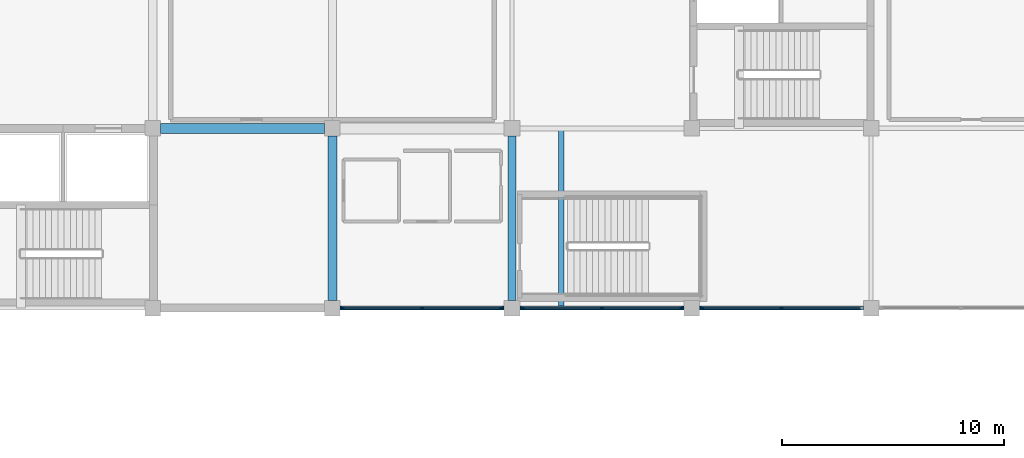
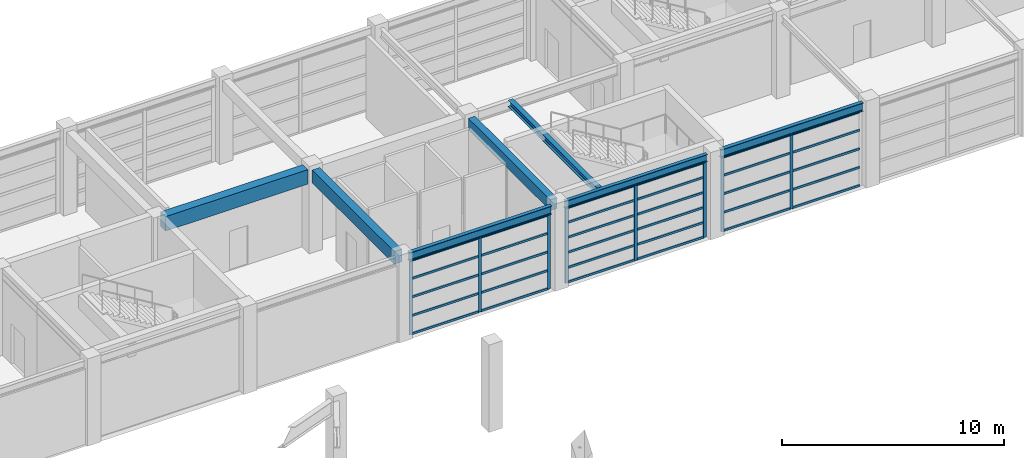
# One storey, part 30 of 58: 40 members, 7 beams, 3 elements without a shape of their own.
"""IFC4 building model written with IfcOpenShell, lengths in metres."""

from ifc_helpers import new_model, si_unit, direction, frame, origin, origin_2d, place, context, subcontext, project, spatial, rectangle, i_section, extrude, material, material_profile, profile_set, type_object, element, aggregate, save


model = new_model("IFC4")

# Units and contexts
model_context = context("Model", 3, precision=1e-05, world=origin(), true_north=direction((0.0, 1.0)))
body_context = subcontext(model_context, "Body", "Model", "MODEL_VIEW")
ifc_project = project(units=[si_unit("LENGTHUNIT", "METRE"), si_unit("AREAUNIT", "SQUARE_METRE"), si_unit("VOLUMEUNIT", "CUBIC_METRE"), si_unit("PLANEANGLEUNIT", "RADIAN"), si_unit("MASSUNIT", "GRAM", prefix="KILO")], contexts=[model_context])

# Site, building, storey
site_placement = place(None, origin())
site = spatial("IfcSite", under=ifc_project, at=site_placement, CompositionType="ELEMENT")
building_placement = place(site_placement, origin())
building = spatial("IfcBuilding", under=site, at=building_placement, Name="Parian Resonance Hall", CompositionType="ELEMENT")
storey_placement = place(building_placement, frame((0.0, 0.0, 10.199951171875)))
storey = spatial("IfcBuildingStorey", under=building, at=storey_placement, Name="L02", CompositionType="ELEMENT", Elevation=10.199951171875)

# Beams
ifc_material_1 = material(Name="Concrete C40/50", Category="concrete")
ifc_material_profile_1 = material_profile(ifc_material_1, rectangle(XDim=0.35009765625, YDim=0.60009765625, at=origin_2d()), Name="RC-BM-350x600")
ifc_profile_set_1 = profile_set([ifc_material_profile_1], Name="Concrete C40/50")
beam_type_1 = type_object("IfcBeamType", Name="BM-RC350x600", PredefinedType="BEAM", material=ifc_profile_set_1)
beam_1_placement = place(storey_placement, frame((81.0, 73.25, 4.260009765625), z_axis=(0.0, 1.0, 0.0), x_axis=(-1.0, 0.0, 0.0)))
element("IfcBeam", 1, at=beam_1_placement, inside=storey, type_object=beam_type_1, Name="GY-L02-0767", PredefinedType="BEAM", context=body_context, shape_type="SweptSolid", body=[
    extrude(rectangle(XDim=0.35009765625, YDim=0.60009765625, at=origin_2d()), origin(), (0.0, 0.0, 1.0), 7.39990234375),
])
ifc_material_2 = material(Name="Concrete C40/50", Category="concrete")
ifc_material_profile_2 = material_profile(ifc_material_2, rectangle(XDim=0.39990234375, YDim=0.699951171875, at=origin_2d()), Name="RC-BM-400x700")
ifc_profile_set_2 = profile_set([ifc_material_profile_2], Name="Concrete C40/50")
beam_type_2 = type_object("IfcBeamType", Name="BM-RC400x700", PredefinedType="BEAM", material=ifc_profile_set_2)
beam_2_placement = place(storey_placement, frame((72.89990234375, 73.25, 4.2099609375), z_axis=(0.0, 1.0, 0.0), x_axis=(-1.0, 0.0, 0.0)))
element("IfcBeam", 2, at=beam_2_placement, inside=storey, type_object=beam_type_2, Name="GY-L02-0765", PredefinedType="BEAM", context=body_context, shape_type="SweptSolid", body=[
    extrude(rectangle(XDim=0.39990234375, YDim=0.699951171875, at=origin_2d()), origin(), (0.0, 0.0, 1.0), 7.39990234375),
])
ifc_material_3 = material(Name="Concrete C40/50", Category="concrete")
ifc_material_profile_3 = material_profile(ifc_material_3, rectangle(XDim=0.449951171875, YDim=0.800048828125, at=origin_2d()), Name="RC-BM-450x800")
ifc_profile_set_3 = profile_set([ifc_material_profile_3], Name="Concrete C40/50")
beam_type_3 = type_object("IfcBeamType", Name="BM-RC450x800", PredefinedType="USERDEFINED", material=ifc_profile_set_3)
beam_3_placement = place(storey_placement, frame((65.14990234375, 81.0, 4.16015625), z_axis=(1.0, 0.0, 0.0), x_axis=(0.0, 1.0, 0.0)))
element("IfcBeam", 3, at=beam_3_placement, inside=storey, type_object=beam_type_3, Name="GX-L02-0683", ObjectType="GIRDER", PredefinedType="USERDEFINED", context=body_context, shape_type="SweptSolid", body=[
    extrude(rectangle(XDim=0.449951171875, YDim=0.800048828125, at=origin_2d()), origin(), (0.0, 0.0, 1.0), 7.400146484375),
])
ifc_material_4 = material(Name="Steel S355", Category="steel")
ifc_material_profile_4 = material_profile(ifc_material_4, i_section(OverallWidth=0.2548828125, OverallDepth=0.35693359375, WebThickness=0.010498046875, FlangeThickness=0.018310546875, FilletRadius=0.01513671875, at=origin_2d()), Name="W360x101")
ifc_profile_set_4 = profile_set([ifc_material_profile_4], Name="Steel S355")
beam_type_4 = type_object("IfcBeamType", Name="BM-W360x101", PredefinedType="SPANDREL", material=ifc_profile_set_4)
beam_4_placement = place(storey_placement, frame((83.219970703125, 72.89990234375, 4.381591796875), z_axis=(0.0, 1.0, 0.0), x_axis=(-1.0, 0.0, 0.0)))
element("IfcBeam", 4, at=beam_4_placement, inside=storey, type_object=beam_type_4, Name="Feature stair ST-08 arrival header beam L02", PredefinedType="SPANDREL", context=body_context, shape_type="SweptSolid", body=[
    extrude(i_section(OverallWidth=0.2548828125, OverallDepth=0.35693359375, WebThickness=0.010498046875, FlangeThickness=0.018310546875, FilletRadius=0.01513671875, at=origin_2d()), origin(), (0.0, 0.0, 1.0), 8.10009765625),
])
ifc_material_5 = material(Name="Steel S355", Category="steel")
ifc_material_profile_5 = material_profile(ifc_material_5, i_section(OverallWidth=0.180908203125, OverallDepth=0.4169921875, WebThickness=0.010986328125, FlangeThickness=0.018310546875, FilletRadius=0.01513671875, at=origin_2d()), Name="W410x85")
ifc_profile_set_5 = profile_set([ifc_material_profile_5], Name="Steel S355")
beam_type_5 = type_object("IfcBeamType", Name="BM-W410x85", PredefinedType="SPANDREL", material=ifc_profile_set_5)
beam_5_placement = place(storey_placement, frame((81.35009765625, 72.89990234375, 4.3515625), z_axis=(1.0, 0.0, 0.0), x_axis=(0.0, 1.0, 0.0)))
element("IfcBeam", 5, at=beam_5_placement, inside=storey, type_object=beam_type_5, Name="GX-L02-0692", PredefinedType="SPANDREL", context=body_context, shape_type="SweptSolid", body=[
    extrude(i_section(OverallWidth=0.180908203125, OverallDepth=0.4169921875, WebThickness=0.010986328125, FlangeThickness=0.018310546875, FilletRadius=0.01513671875, at=origin_2d()), origin(), (0.0, 0.0, 1.0), 7.39990234375),
])
ifc_material_6 = material(Name="Steel S355", Category="steel")
ifc_material_profile_6 = material_profile(ifc_material_6, i_section(OverallWidth=0.194091796875, OverallDepth=0.468994140625, WebThickness=0.0126953125, FlangeThickness=0.0205078125, FilletRadius=0.01513671875, at=origin_2d()), Name="W460x106")
ifc_profile_set_6 = profile_set([ifc_material_profile_6], Name="Steel S355")
beam_type_6 = type_object("IfcBeamType", Name="BM-W460x106", PredefinedType="SPANDREL", material=ifc_profile_set_6)
beam_6_placement = place(storey_placement, frame((73.25, 72.89990234375, 4.325439453125), z_axis=(1.0, 0.0, 0.0), x_axis=(0.0, 1.0, 0.0)))
element("IfcBeam", 6, at=beam_6_placement, inside=storey, type_object=beam_type_6, Name="GX-L02-0687", PredefinedType="SPANDREL", context=body_context, shape_type="SweptSolid", body=[
    extrude(i_section(OverallWidth=0.194091796875, OverallDepth=0.468994140625, WebThickness=0.0126953125, FlangeThickness=0.0205078125, FilletRadius=0.01513671875, at=origin_2d()), origin(), (0.0, 0.0, 1.0), 7.39990234375),
])
beam_7_placement = place(storey_placement, frame((89.449951171875, 72.89990234375, 4.325439453125), z_axis=(1.0, 0.0, 0.0), x_axis=(0.0, 1.0, 0.0)))
element("IfcBeam", 7, at=beam_7_placement, inside=storey, type_object=beam_type_6, Name="GX-L02-0697", PredefinedType="SPANDREL", context=body_context, shape_type="SweptSolid", body=[
    extrude(i_section(OverallWidth=0.194091796875, OverallDepth=0.468994140625, WebThickness=0.0126953125, FlangeThickness=0.0205078125, FilletRadius=0.01513671875, at=origin_2d()), origin(), (0.0, 0.0, 1.0), 7.400146484375),
])

# Curtain wall, members
ifc_material_7 = material(Name="Bronze-anodised aluminium frame", Category="aluminium")
curtain_wall_type_1 = type_object("IfcCurtainWallType", Name="CW-SYS-06", PredefinedType="NOTDEFINED", material=ifc_material_7)
curtain_wall_1_placement = place(storey_placement, origin())
curtain_wall_1 = element("IfcCurtainWall", 8, at=curtain_wall_1_placement, inside=storey, type_object=curtain_wall_type_1, Name="Curtain wall CW-L02-107", PredefinedType="NOTDEFINED")
ifc_material_8 = material(Name="Bronze-anodised aluminium frame", Category="aluminium")
ifc_material_profile_7 = material_profile(ifc_material_8, rectangle(XDim=0.06494140625, YDim=0.159912109375, at=origin_2d()), Name="CWM-65x160")
ifc_profile_set_7 = profile_set([ifc_material_profile_7], Name="Bronze-anodised aluminium frame")
member_type_1 = type_object("IfcMemberType", Name="CWM-65x160", PredefinedType="MULLION", material=ifc_profile_set_7)
member_1_placement = place(storey_placement, frame((80.53759765625, 72.89990234375, -0.008056640625), z_axis=(0.0, 0.0, 1.0), x_axis=(0.0, -1.0, 0.0)))
member_1 = element("IfcMember", 9, at=member_1_placement, type_object=member_type_1, Name="CW-06 mullion 1", PredefinedType="MULLION", context=body_context, shape_type="SweptSolid", body=[
    extrude(rectangle(XDim=0.06494140625, YDim=0.159912109375, at=origin_2d()), origin(), (0.0, 0.0, 1.0), 4.10302734375),
])
member_2_placement = place(storey_placement, frame((76.949951171875, 72.89990234375, -0.008056640625), z_axis=(0.0, 0.0, 1.0), x_axis=(0.0, -1.0, 0.0)))
member_2 = element("IfcMember", 10, at=member_2_placement, type_object=member_type_1, Name="CW-06 mullion 2", PredefinedType="MULLION", context=body_context, shape_type="SweptSolid", body=[
    extrude(rectangle(XDim=0.06494140625, YDim=0.159912109375, at=origin_2d()), origin(), (0.0, 0.0, 1.0), 4.10302734375),
])
member_3_placement = place(storey_placement, frame((73.362548828125, 72.89990234375, -0.008056640625), z_axis=(0.0, 0.0, 1.0), x_axis=(0.0, -1.0, 0.0)))
member_3 = element("IfcMember", 11, at=member_3_placement, type_object=member_type_1, Name="CW-06 mullion 3", PredefinedType="MULLION", context=body_context, shape_type="SweptSolid", body=[
    extrude(rectangle(XDim=0.06494140625, YDim=0.159912109375, at=origin_2d()), origin(), (0.0, 0.0, 1.0), 4.10302734375),
])

ifc_material_9 = material(Name="Bronze-anodised aluminium frame", Category="aluminium")
curtain_wall_type_2 = type_object("IfcCurtainWallType", Name="CW-SYS-01", PredefinedType="NOTDEFINED", material=ifc_material_9)
curtain_wall_2_placement = place(storey_placement, origin())
curtain_wall_2 = element("IfcCurtainWall", 12, at=curtain_wall_2_placement, inside=storey, type_object=curtain_wall_type_2, Name="Curtain wall CW-L02-113", PredefinedType="NOTDEFINED")
member_4_placement = place(storey_placement, frame((88.637451171875, 72.89990234375, -0.008056640625), z_axis=(0.0, 0.0, 1.0), x_axis=(0.0, -1.0, 0.0)))
member_4 = element("IfcMember", 13, at=member_4_placement, type_object=member_type_1, Name="CW-01 mullion 1", PredefinedType="MULLION", context=body_context, shape_type="SweptSolid", body=[
    extrude(rectangle(XDim=0.06494140625, YDim=0.159912109375, at=origin_2d()), origin(), (0.0, 0.0, 1.0), 4.155029296875),
])
member_5_placement = place(storey_placement, frame((85.050048828125, 72.89990234375, -0.008056640625), z_axis=(0.0, 0.0, 1.0), x_axis=(0.0, -1.0, 0.0)))
member_5 = element("IfcMember", 14, at=member_5_placement, type_object=member_type_1, Name="CW-01 mullion 2", PredefinedType="MULLION", context=body_context, shape_type="SweptSolid", body=[
    extrude(rectangle(XDim=0.06494140625, YDim=0.159912109375, at=origin_2d()), origin(), (0.0, 0.0, 1.0), 4.155029296875),
])
member_6_placement = place(storey_placement, frame((81.46240234375, 72.89990234375, -0.008056640625), z_axis=(0.0, 0.0, 1.0), x_axis=(0.0, -1.0, 0.0)))
member_6 = element("IfcMember", 15, at=member_6_placement, type_object=member_type_1, Name="CW-01 mullion 3", PredefinedType="MULLION", context=body_context, shape_type="SweptSolid", body=[
    extrude(rectangle(XDim=0.06494140625, YDim=0.159912109375, at=origin_2d()), origin(), (0.0, 0.0, 1.0), 4.155029296875),
])

ifc_material_10 = material(Name="Bronze-anodised aluminium frame", Category="aluminium")
curtain_wall_type_3 = type_object("IfcCurtainWallType", Name="CW-SYS-02", PredefinedType="NOTDEFINED", material=ifc_material_10)
curtain_wall_3_placement = place(storey_placement, origin())
curtain_wall_3 = element("IfcCurtainWall", 16, at=curtain_wall_3_placement, inside=storey, type_object=curtain_wall_type_3, Name="Curtain wall CW-L02-119", PredefinedType="NOTDEFINED")
member_7_placement = place(storey_placement, frame((93.14990234375, 72.89990234375, -0.008056640625), z_axis=(0.0, 0.0, 1.0), x_axis=(0.0, -1.0, 0.0)))
member_7 = element("IfcMember", 17, at=member_7_placement, type_object=member_type_1, Name="CW-02 mullion 2", PredefinedType="MULLION", context=body_context, shape_type="SweptSolid", body=[
    extrude(rectangle(XDim=0.06494140625, YDim=0.159912109375, at=origin_2d()), origin(), (0.0, 0.0, 1.0), 4.10302734375),
])
member_8_placement = place(storey_placement, frame((89.5625, 72.89990234375, -0.008056640625), z_axis=(0.0, 0.0, 1.0), x_axis=(0.0, -1.0, 0.0)))
member_8 = element("IfcMember", 18, at=member_8_placement, type_object=member_type_1, Name="CW-02 mullion 3", PredefinedType="MULLION", context=body_context, shape_type="SweptSolid", body=[
    extrude(rectangle(XDim=0.06494140625, YDim=0.159912109375, at=origin_2d()), origin(), (0.0, 0.0, 1.0), 4.10302734375),
])

# Member
ifc_material_11 = material(Name="Bronze-anodised aluminium frame", Category="aluminium")
ifc_material_profile_8 = material_profile(ifc_material_11, rectangle(XDim=0.06494140625, YDim=0.1201171875, at=origin_2d()), Name="CWT-65x120")
ifc_profile_set_8 = profile_set([ifc_material_profile_8], Name="Bronze-anodised aluminium frame")
member_type_2 = type_object("IfcMemberType", Name="CWT-65x120", PredefinedType="USERDEFINED", material=ifc_profile_set_8)
member_9_placement = place(storey_placement, frame((80.5048828125, 72.89990234375, 0.024658203125), z_axis=(-1.0, 0.0, 0.0), x_axis=(0.0, -1.0, 0.0)))
member_9 = element("IfcMember", 19, at=member_9_placement, type_object=member_type_2, Name="CW-06 transom 1.1", ObjectType="TRANSOM", PredefinedType="USERDEFINED", context=body_context, shape_type="SweptSolid", body=[
    extrude(rectangle(XDim=0.06494140625, YDim=0.1201171875, at=origin_2d()), origin(), (0.0, 0.0, 1.0), 3.5224609375),
])

member_10_placement = place(storey_placement, frame((80.5048828125, 72.89990234375, 1.021240234375), z_axis=(-1.0, 0.0, 0.0), x_axis=(0.0, -1.0, 0.0)))
member_10 = element("IfcMember", 20, at=member_10_placement, type_object=member_type_2, Name="CW-06 transom 1.2", ObjectType="TRANSOM", PredefinedType="USERDEFINED", context=body_context, shape_type="SweptSolid", body=[
    extrude(rectangle(XDim=0.06494140625, YDim=0.1201171875, at=origin_2d()), origin(), (0.0, 0.0, 1.0), 3.5224609375),
])

member_11_placement = place(storey_placement, frame((80.5048828125, 72.89990234375, 2.04248046875), z_axis=(-1.0, 0.0, 0.0), x_axis=(0.0, -1.0, 0.0)))
member_11 = element("IfcMember", 21, at=member_11_placement, type_object=member_type_2, Name="CW-06 transom 1.3", ObjectType="TRANSOM", PredefinedType="USERDEFINED", context=body_context, shape_type="SweptSolid", body=[
    extrude(rectangle(XDim=0.06494140625, YDim=0.1201171875, at=origin_2d()), origin(), (0.0, 0.0, 1.0), 3.5224609375),
])

member_12_placement = place(storey_placement, frame((80.5048828125, 72.89990234375, 3.063720703125), z_axis=(-1.0, 0.0, 0.0), x_axis=(0.0, -1.0, 0.0)))
member_12 = element("IfcMember", 22, at=member_12_placement, type_object=member_type_2, Name="CW-06 transom 1.4", ObjectType="TRANSOM", PredefinedType="USERDEFINED", context=body_context, shape_type="SweptSolid", body=[
    extrude(rectangle(XDim=0.06494140625, YDim=0.1201171875, at=origin_2d()), origin(), (0.0, 0.0, 1.0), 3.5224609375),
])

member_13_placement = place(storey_placement, frame((80.5048828125, 72.89990234375, 4.0625), z_axis=(-1.0, 0.0, 0.0), x_axis=(0.0, -1.0, 0.0)))
member_13 = element("IfcMember", 23, at=member_13_placement, type_object=member_type_2, Name="CW-06 transom 1.5", ObjectType="TRANSOM", PredefinedType="USERDEFINED", context=body_context, shape_type="SweptSolid", body=[
    extrude(rectangle(XDim=0.06494140625, YDim=0.1201171875, at=origin_2d()), origin(), (0.0, 0.0, 1.0), 3.5224609375),
])

member_14_placement = place(storey_placement, frame((76.91748046875, 72.89990234375, 0.024658203125), z_axis=(-1.0, 0.0, 0.0), x_axis=(0.0, -1.0, 0.0)))
member_14 = element("IfcMember", 24, at=member_14_placement, type_object=member_type_2, Name="CW-06 transom 2.1", ObjectType="TRANSOM", PredefinedType="USERDEFINED", context=body_context, shape_type="SweptSolid", body=[
    extrude(rectangle(XDim=0.06494140625, YDim=0.1201171875, at=origin_2d()), origin(), (0.0, 0.0, 1.0), 3.5224609375),
])

member_15_placement = place(storey_placement, frame((76.91748046875, 72.89990234375, 1.021240234375), z_axis=(-1.0, 0.0, 0.0), x_axis=(0.0, -1.0, 0.0)))
member_15 = element("IfcMember", 25, at=member_15_placement, type_object=member_type_2, Name="CW-06 transom 2.2", ObjectType="TRANSOM", PredefinedType="USERDEFINED", context=body_context, shape_type="SweptSolid", body=[
    extrude(rectangle(XDim=0.06494140625, YDim=0.1201171875, at=origin_2d()), origin(), (0.0, 0.0, 1.0), 3.5224609375),
])

member_16_placement = place(storey_placement, frame((76.91748046875, 72.89990234375, 2.04248046875), z_axis=(-1.0, 0.0, 0.0), x_axis=(0.0, -1.0, 0.0)))
member_16 = element("IfcMember", 26, at=member_16_placement, type_object=member_type_2, Name="CW-06 transom 2.3", ObjectType="TRANSOM", PredefinedType="USERDEFINED", context=body_context, shape_type="SweptSolid", body=[
    extrude(rectangle(XDim=0.06494140625, YDim=0.1201171875, at=origin_2d()), origin(), (0.0, 0.0, 1.0), 3.5224609375),
])

member_17_placement = place(storey_placement, frame((76.91748046875, 72.89990234375, 3.063720703125), z_axis=(-1.0, 0.0, 0.0), x_axis=(0.0, -1.0, 0.0)))
member_17 = element("IfcMember", 27, at=member_17_placement, type_object=member_type_2, Name="CW-06 transom 2.4", ObjectType="TRANSOM", PredefinedType="USERDEFINED", context=body_context, shape_type="SweptSolid", body=[
    extrude(rectangle(XDim=0.06494140625, YDim=0.1201171875, at=origin_2d()), origin(), (0.0, 0.0, 1.0), 3.5224609375),
])

member_18_placement = place(storey_placement, frame((76.91748046875, 72.89990234375, 4.0625), z_axis=(-1.0, 0.0, 0.0), x_axis=(0.0, -1.0, 0.0)))
member_18 = element("IfcMember", 28, at=member_18_placement, type_object=member_type_2, Name="CW-06 transom 2.5", ObjectType="TRANSOM", PredefinedType="USERDEFINED", context=body_context, shape_type="SweptSolid", body=[
    extrude(rectangle(XDim=0.06494140625, YDim=0.1201171875, at=origin_2d()), origin(), (0.0, 0.0, 1.0), 3.5224609375),
])

aggregate(curtain_wall_1, [member_1, member_2, member_3, member_9, member_10, member_11, member_12, member_13, member_14, member_15, member_16, member_17, member_18])

member_19_placement = place(storey_placement, frame((88.60498046875, 72.89990234375, 0.024658203125), z_axis=(-1.0, 0.0, 0.0), x_axis=(0.0, -1.0, 0.0)))
member_19 = element("IfcMember", 29, at=member_19_placement, type_object=member_type_2, Name="CW-01 transom 1.1", ObjectType="TRANSOM", PredefinedType="USERDEFINED", context=body_context, shape_type="SweptSolid", body=[
    extrude(rectangle(XDim=0.06494140625, YDim=0.1201171875, at=origin_2d()), origin(), (0.0, 0.0, 1.0), 3.5224609375),
])

member_20_placement = place(storey_placement, frame((88.60498046875, 72.89990234375, 0.827392578125), z_axis=(-1.0, 0.0, 0.0), x_axis=(0.0, -1.0, 0.0)))
member_20 = element("IfcMember", 30, at=member_20_placement, type_object=member_type_2, Name="CW-01 transom 1.2", ObjectType="TRANSOM", PredefinedType="USERDEFINED", context=body_context, shape_type="SweptSolid", body=[
    extrude(rectangle(XDim=0.06494140625, YDim=0.1201171875, at=origin_2d()), origin(), (0.0, 0.0, 1.0), 3.5224609375),
])

member_21_placement = place(storey_placement, frame((88.60498046875, 72.89990234375, 1.65478515625), z_axis=(-1.0, 0.0, 0.0), x_axis=(0.0, -1.0, 0.0)))
member_21 = element("IfcMember", 31, at=member_21_placement, type_object=member_type_2, Name="CW-01 transom 1.3", ObjectType="TRANSOM", PredefinedType="USERDEFINED", context=body_context, shape_type="SweptSolid", body=[
    extrude(rectangle(XDim=0.06494140625, YDim=0.1201171875, at=origin_2d()), origin(), (0.0, 0.0, 1.0), 3.5224609375),
])

member_22_placement = place(storey_placement, frame((88.60498046875, 72.89990234375, 2.482177734375), z_axis=(-1.0, 0.0, 0.0), x_axis=(0.0, -1.0, 0.0)))
member_22 = element("IfcMember", 32, at=member_22_placement, type_object=member_type_2, Name="CW-01 transom 1.4", ObjectType="TRANSOM", PredefinedType="USERDEFINED", context=body_context, shape_type="SweptSolid", body=[
    extrude(rectangle(XDim=0.06494140625, YDim=0.1201171875, at=origin_2d()), origin(), (0.0, 0.0, 1.0), 3.5224609375),
])

member_23_placement = place(storey_placement, frame((88.60498046875, 72.89990234375, 3.3095703125), z_axis=(-1.0, 0.0, 0.0), x_axis=(0.0, -1.0, 0.0)))
member_23 = element("IfcMember", 33, at=member_23_placement, type_object=member_type_2, Name="CW-01 transom 1.5", ObjectType="TRANSOM", PredefinedType="USERDEFINED", context=body_context, shape_type="SweptSolid", body=[
    extrude(rectangle(XDim=0.06494140625, YDim=0.1201171875, at=origin_2d()), origin(), (0.0, 0.0, 1.0), 3.5224609375),
])

member_24_placement = place(storey_placement, frame((88.60498046875, 72.89990234375, 4.114501953125), z_axis=(-1.0, 0.0, 0.0), x_axis=(0.0, -1.0, 0.0)))
member_24 = element("IfcMember", 34, at=member_24_placement, type_object=member_type_2, Name="CW-01 transom 1.6", ObjectType="TRANSOM", PredefinedType="USERDEFINED", context=body_context, shape_type="SweptSolid", body=[
    extrude(rectangle(XDim=0.06494140625, YDim=0.1201171875, at=origin_2d()), origin(), (0.0, 0.0, 1.0), 3.5224609375),
])

member_25_placement = place(storey_placement, frame((85.017578125, 72.89990234375, 0.024658203125), z_axis=(-1.0, 0.0, 0.0), x_axis=(0.0, -1.0, 0.0)))
member_25 = element("IfcMember", 35, at=member_25_placement, type_object=member_type_2, Name="CW-01 transom 2.1", ObjectType="TRANSOM", PredefinedType="USERDEFINED", context=body_context, shape_type="SweptSolid", body=[
    extrude(rectangle(XDim=0.06494140625, YDim=0.1201171875, at=origin_2d()), origin(), (0.0, 0.0, 1.0), 3.5224609375),
])

member_26_placement = place(storey_placement, frame((85.017578125, 72.89990234375, 0.827392578125), z_axis=(-1.0, 0.0, 0.0), x_axis=(0.0, -1.0, 0.0)))
member_26 = element("IfcMember", 36, at=member_26_placement, type_object=member_type_2, Name="CW-01 transom 2.2", ObjectType="TRANSOM", PredefinedType="USERDEFINED", context=body_context, shape_type="SweptSolid", body=[
    extrude(rectangle(XDim=0.06494140625, YDim=0.1201171875, at=origin_2d()), origin(), (0.0, 0.0, 1.0), 3.5224609375),
])

member_27_placement = place(storey_placement, frame((85.017578125, 72.89990234375, 1.65478515625), z_axis=(-1.0, 0.0, 0.0), x_axis=(0.0, -1.0, 0.0)))
member_27 = element("IfcMember", 37, at=member_27_placement, type_object=member_type_2, Name="CW-01 transom 2.3", ObjectType="TRANSOM", PredefinedType="USERDEFINED", context=body_context, shape_type="SweptSolid", body=[
    extrude(rectangle(XDim=0.06494140625, YDim=0.1201171875, at=origin_2d()), origin(), (0.0, 0.0, 1.0), 3.5224609375),
])

member_28_placement = place(storey_placement, frame((85.017578125, 72.89990234375, 2.482177734375), z_axis=(-1.0, 0.0, 0.0), x_axis=(0.0, -1.0, 0.0)))
member_28 = element("IfcMember", 38, at=member_28_placement, type_object=member_type_2, Name="CW-01 transom 2.4", ObjectType="TRANSOM", PredefinedType="USERDEFINED", context=body_context, shape_type="SweptSolid", body=[
    extrude(rectangle(XDim=0.06494140625, YDim=0.1201171875, at=origin_2d()), origin(), (0.0, 0.0, 1.0), 3.5224609375),
])

member_29_placement = place(storey_placement, frame((85.017578125, 72.89990234375, 3.3095703125), z_axis=(-1.0, 0.0, 0.0), x_axis=(0.0, -1.0, 0.0)))
member_29 = element("IfcMember", 39, at=member_29_placement, type_object=member_type_2, Name="CW-01 transom 2.5", ObjectType="TRANSOM", PredefinedType="USERDEFINED", context=body_context, shape_type="SweptSolid", body=[
    extrude(rectangle(XDim=0.06494140625, YDim=0.1201171875, at=origin_2d()), origin(), (0.0, 0.0, 1.0), 3.5224609375),
])

member_30_placement = place(storey_placement, frame((85.017578125, 72.89990234375, 4.114501953125), z_axis=(-1.0, 0.0, 0.0), x_axis=(0.0, -1.0, 0.0)))
member_30 = element("IfcMember", 40, at=member_30_placement, type_object=member_type_2, Name="CW-01 transom 2.6", ObjectType="TRANSOM", PredefinedType="USERDEFINED", context=body_context, shape_type="SweptSolid", body=[
    extrude(rectangle(XDim=0.06494140625, YDim=0.1201171875, at=origin_2d()), origin(), (0.0, 0.0, 1.0), 3.5224609375),
])

aggregate(curtain_wall_2, [member_4, member_5, member_6, member_19, member_20, member_21, member_22, member_23, member_24, member_25, member_26, member_27, member_28, member_29, member_30])

member_31_placement = place(storey_placement, frame((96.705078125, 72.89990234375, 0.024658203125), z_axis=(-1.0, 0.0, 0.0), x_axis=(0.0, -1.0, 0.0)))
member_31 = element("IfcMember", 41, at=member_31_placement, type_object=member_type_2, Name="CW-02 transom 1.1", ObjectType="TRANSOM", PredefinedType="USERDEFINED", context=body_context, shape_type="SweptSolid", body=[
    extrude(rectangle(XDim=0.06494140625, YDim=0.1201171875, at=origin_2d()), origin(), (0.0, 0.0, 1.0), 3.5224609375),
])

member_32_placement = place(storey_placement, frame((96.705078125, 72.89990234375, 1.021240234375), z_axis=(-1.0, 0.0, 0.0), x_axis=(0.0, -1.0, 0.0)))
member_32 = element("IfcMember", 42, at=member_32_placement, type_object=member_type_2, Name="CW-02 transom 1.2", ObjectType="TRANSOM", PredefinedType="USERDEFINED", context=body_context, shape_type="SweptSolid", body=[
    extrude(rectangle(XDim=0.06494140625, YDim=0.1201171875, at=origin_2d()), origin(), (0.0, 0.0, 1.0), 3.5224609375),
])

member_33_placement = place(storey_placement, frame((96.705078125, 72.89990234375, 2.04248046875), z_axis=(-1.0, 0.0, 0.0), x_axis=(0.0, -1.0, 0.0)))
member_33 = element("IfcMember", 43, at=member_33_placement, type_object=member_type_2, Name="CW-02 transom 1.3", ObjectType="TRANSOM", PredefinedType="USERDEFINED", context=body_context, shape_type="SweptSolid", body=[
    extrude(rectangle(XDim=0.06494140625, YDim=0.1201171875, at=origin_2d()), origin(), (0.0, 0.0, 1.0), 3.5224609375),
])

member_34_placement = place(storey_placement, frame((96.705078125, 72.89990234375, 3.063720703125), z_axis=(-1.0, 0.0, 0.0), x_axis=(0.0, -1.0, 0.0)))
member_34 = element("IfcMember", 44, at=member_34_placement, type_object=member_type_2, Name="CW-02 transom 1.4", ObjectType="TRANSOM", PredefinedType="USERDEFINED", context=body_context, shape_type="SweptSolid", body=[
    extrude(rectangle(XDim=0.06494140625, YDim=0.1201171875, at=origin_2d()), origin(), (0.0, 0.0, 1.0), 3.5224609375),
])

member_35_placement = place(storey_placement, frame((96.705078125, 72.89990234375, 4.0625), z_axis=(-1.0, 0.0, 0.0), x_axis=(0.0, -1.0, 0.0)))
member_35 = element("IfcMember", 45, at=member_35_placement, type_object=member_type_2, Name="CW-02 transom 1.5", ObjectType="TRANSOM", PredefinedType="USERDEFINED", context=body_context, shape_type="SweptSolid", body=[
    extrude(rectangle(XDim=0.06494140625, YDim=0.1201171875, at=origin_2d()), origin(), (0.0, 0.0, 1.0), 3.5224609375),
])

member_36_placement = place(storey_placement, frame((93.117431640625, 72.89990234375, 0.024658203125), z_axis=(-1.0, 0.0, 0.0), x_axis=(0.0, -1.0, 0.0)))
member_36 = element("IfcMember", 46, at=member_36_placement, type_object=member_type_2, Name="CW-02 transom 2.1", ObjectType="TRANSOM", PredefinedType="USERDEFINED", context=body_context, shape_type="SweptSolid", body=[
    extrude(rectangle(XDim=0.06494140625, YDim=0.1201171875, at=origin_2d()), origin(), (0.0, 0.0, 1.0), 3.5224609375),
])

member_37_placement = place(storey_placement, frame((93.117431640625, 72.89990234375, 1.021240234375), z_axis=(-1.0, 0.0, 0.0), x_axis=(0.0, -1.0, 0.0)))
member_37 = element("IfcMember", 47, at=member_37_placement, type_object=member_type_2, Name="CW-02 transom 2.2", ObjectType="TRANSOM", PredefinedType="USERDEFINED", context=body_context, shape_type="SweptSolid", body=[
    extrude(rectangle(XDim=0.06494140625, YDim=0.1201171875, at=origin_2d()), origin(), (0.0, 0.0, 1.0), 3.5224609375),
])

member_38_placement = place(storey_placement, frame((93.117431640625, 72.89990234375, 2.04248046875), z_axis=(-1.0, 0.0, 0.0), x_axis=(0.0, -1.0, 0.0)))
member_38 = element("IfcMember", 48, at=member_38_placement, type_object=member_type_2, Name="CW-02 transom 2.3", ObjectType="TRANSOM", PredefinedType="USERDEFINED", context=body_context, shape_type="SweptSolid", body=[
    extrude(rectangle(XDim=0.06494140625, YDim=0.1201171875, at=origin_2d()), origin(), (0.0, 0.0, 1.0), 3.5224609375),
])

member_39_placement = place(storey_placement, frame((93.117431640625, 72.89990234375, 3.063720703125), z_axis=(-1.0, 0.0, 0.0), x_axis=(0.0, -1.0, 0.0)))
member_39 = element("IfcMember", 49, at=member_39_placement, type_object=member_type_2, Name="CW-02 transom 2.4", ObjectType="TRANSOM", PredefinedType="USERDEFINED", context=body_context, shape_type="SweptSolid", body=[
    extrude(rectangle(XDim=0.06494140625, YDim=0.1201171875, at=origin_2d()), origin(), (0.0, 0.0, 1.0), 3.5224609375),
])

member_40_placement = place(storey_placement, frame((93.117431640625, 72.89990234375, 4.0625), z_axis=(-1.0, 0.0, 0.0), x_axis=(0.0, -1.0, 0.0)))
member_40 = element("IfcMember", 50, at=member_40_placement, type_object=member_type_2, Name="CW-02 transom 2.5", ObjectType="TRANSOM", PredefinedType="USERDEFINED", context=body_context, shape_type="SweptSolid", body=[
    extrude(rectangle(XDim=0.06494140625, YDim=0.1201171875, at=origin_2d()), origin(), (0.0, 0.0, 1.0), 3.5224609375),
])

aggregate(curtain_wall_3, [member_7, member_8, member_31, member_32, member_33, member_34, member_35, member_36, member_37, member_38, member_39, member_40])

save(model, "model.ifc")
